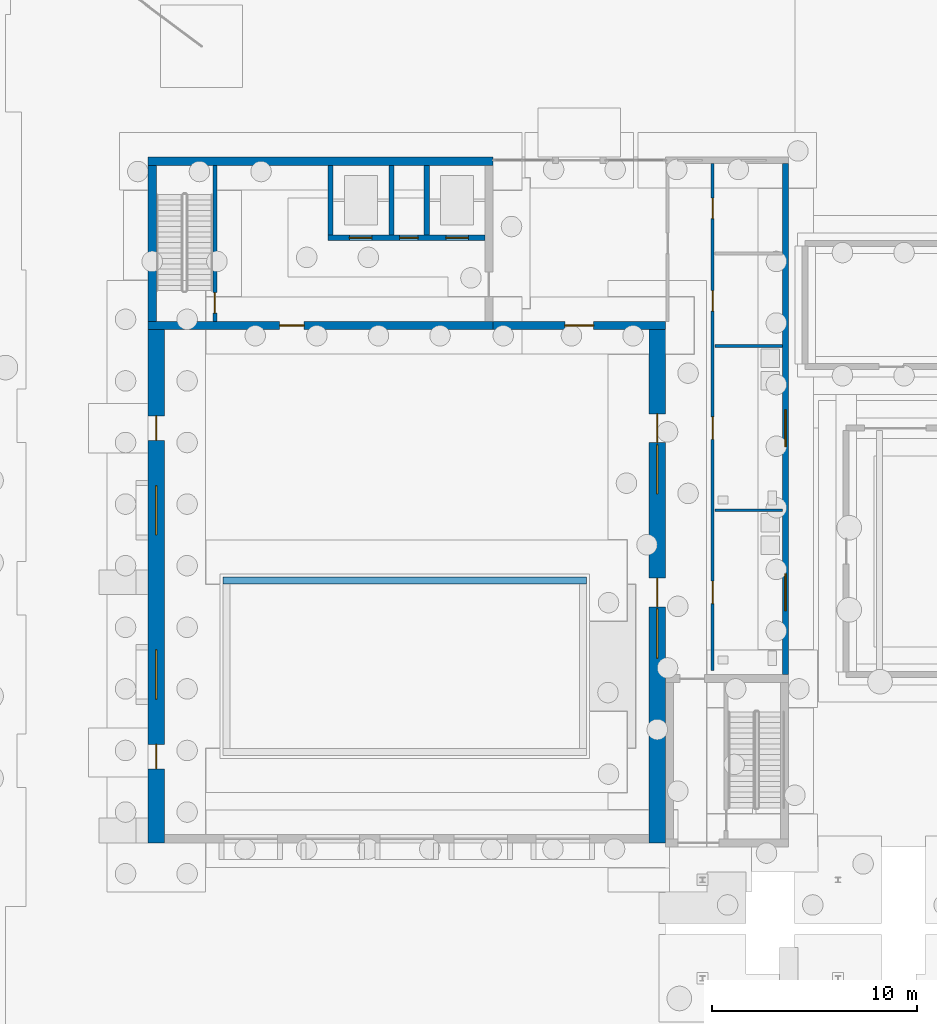
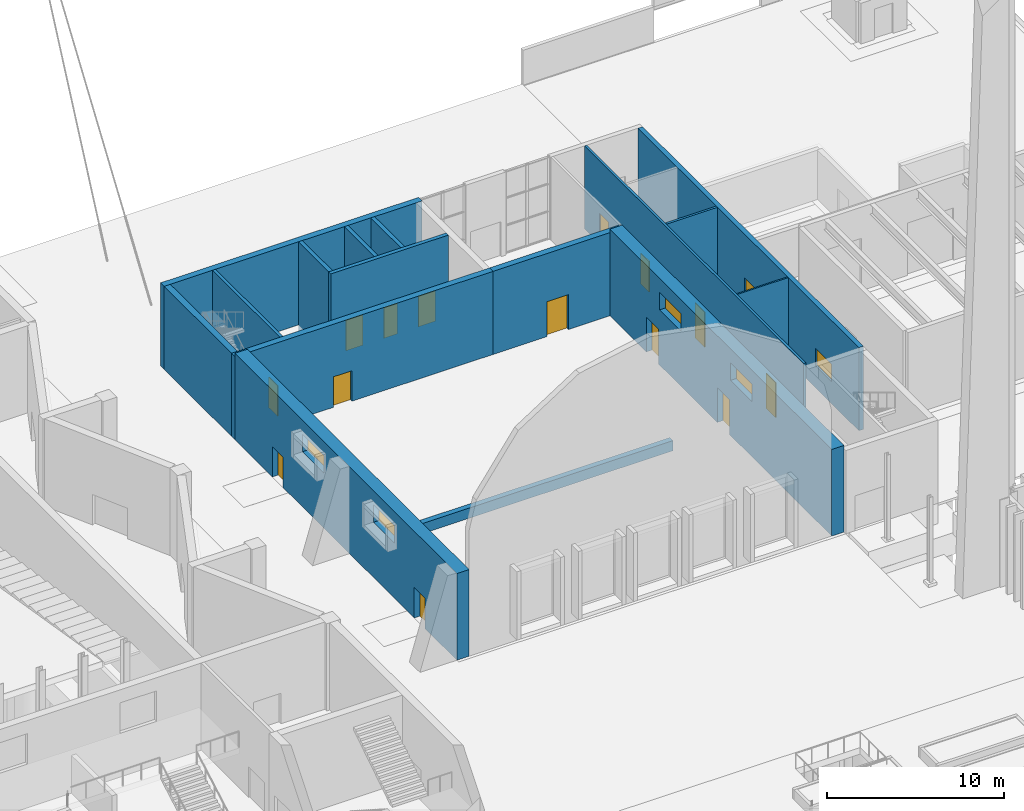
# One storey, part 74 of 108: 16 walls, 14 doors, 6 windows, 20 openings.
"""IFC4 building model written with IfcOpenShell, lengths in metres."""

from ifc_helpers import new_model, si_unit, direction, frame, frame_2d, origin, place, context, subcontext, project, spatial, rectangle, extrude, material, layer, layer_set, type_object, element, fill, save


model = new_model("IFC4")

# Units and contexts
model_context = context("Model", 3, precision=1e-05, world=origin(), true_north=direction((0.0, 1.0)))
body_context = subcontext(model_context, "Body", "Model", "MODEL_VIEW")
ifc_project = project(units=[si_unit("LENGTHUNIT", "METRE"), si_unit("AREAUNIT", "SQUARE_METRE"), si_unit("VOLUMEUNIT", "CUBIC_METRE"), si_unit("PLANEANGLEUNIT", "RADIAN"), si_unit("MASSUNIT", "GRAM", prefix="KILO")], contexts=[model_context])

# Site, building, storey
site_placement = place(None, origin())
site = spatial("IfcSite", under=ifc_project, at=site_placement, CompositionType="ELEMENT")
building_placement = place(site_placement, origin())
building = spatial("IfcBuilding", under=site, at=building_placement, Name="Cresset Court Congress Hotel", CompositionType="ELEMENT")
storey_placement = place(building_placement, origin())
storey = spatial("IfcBuildingStorey", under=building, at=storey_placement, Name="L00", CompositionType="ELEMENT", Elevation=0.0)

# Wall, openings, doors
ifc_material_1 = material(Name="Gypsum board on steel studs", Category="steel")
ifc_layer_1 = layer(ifc_material_1, 0.14990234375)
ifc_layer_set_1 = layer_set([ifc_layer_1], Name="Fire partition 150")
wall_type_1 = type_object("IfcWallType", Name="Fire partition 150", PredefinedType="PARTITIONING", material=ifc_layer_set_1)
wall_1_placement = place(storey_placement, frame((153.5, 84.199951171875, 0.0), z_axis=(0.0, 0.0, 1.0), x_axis=(0.0, 1.0, 0.0)))
wall_1 = element("IfcWall", 1, at=wall_1_placement, inside=storey, type_object=wall_type_1, Name="Corridor wall", PredefinedType="PARTITIONING", context=body_context, shape_type="SweptSolid", body=[
    extrude(rectangle(XDim=24.699951171875, YDim=0.14990234375, at=frame_2d((12.35009765625, 0.0))), origin(), (0.0, 0.0, 1.0), 5.719970703125),
])
opening_1_placement = place(wall_1_placement, frame((3.25, 0.0, 0.0)))
opening_1 = element("IfcOpeningElement", 2, at=opening_1_placement, cuts=wall_1, Name="Opening DE-00-14", PredefinedType="OPENING", context=body_context, shape_type="SweptSolid", body=[
    extrude(rectangle(XDim=1.10009765625, YDim=2.39990234375, at=frame_2d((0.550048828125, 1.199951171875))), frame((0.0, 0.0849609375, 0.0), z_axis=(0.0, -1.0, 0.0), x_axis=(1.0, 0.0, 0.0)), (0.0, 0.0, 1.0), 0.169921875),
])
opening_2_placement = place(wall_1_placement, frame((11.25, 0.0, 0.0)))
opening_2 = element("IfcOpeningElement", 3, at=opening_2_placement, cuts=wall_1, Name="Opening DE-00-15", PredefinedType="OPENING", context=body_context, shape_type="SweptSolid", body=[
    extrude(rectangle(XDim=1.10009765625, YDim=2.39990234375, at=frame_2d((0.550048828125, 1.199951171875))), frame((0.0, 0.0849609375, 0.0), z_axis=(0.0, -1.0, 0.0), x_axis=(1.0, 0.0, 0.0)), (0.0, 0.0, 1.0), 0.169921875),
])
opening_3_placement = place(wall_1_placement, frame((17.5, 0.0, 0.0)))
opening_3 = element("IfcOpeningElement", 4, at=opening_3_placement, cuts=wall_1, Name="Opening DE-00-16", PredefinedType="OPENING", context=body_context, shape_type="SweptSolid", body=[
    extrude(rectangle(XDim=1.0, YDim=2.10009765625, at=frame_2d((0.5, 1.050048828125))), frame((0.0, 0.0849609375, 0.0), z_axis=(0.0, -1.0, 0.0), x_axis=(1.0, 0.0, 0.0)), (0.0, 0.0, 1.0), 0.169921875),
])
opening_4_placement = place(wall_1_placement, frame((22.0, 0.0, 0.0)))
opening_4 = element("IfcOpeningElement", 5, at=opening_4_placement, cuts=wall_1, Name="Opening DE-00-17", PredefinedType="OPENING", context=body_context, shape_type="SweptSolid", body=[
    extrude(rectangle(XDim=1.0, YDim=2.10009765625, at=frame_2d((0.5, 1.050048828125))), frame((0.0, 0.0849609375, 0.0), z_axis=(0.0, -1.0, 0.0), x_axis=(1.0, 0.0, 0.0)), (0.0, 0.0, 1.0), 0.169921875),
])
ifc_material_2 = material(Name="Glass door leaf in aluminium frame", Category="aluminium")
door_type_1 = type_object("IfcDoorType", Name="Spa glazed door 1100x2400", OperationType="SINGLE_SWING_LEFT", PredefinedType="DOOR", material=ifc_material_2)
door_1_placement = place(opening_1_placement, origin())
door_1 = element("IfcDoor", 6, at=door_1_placement, inside=storey, type_object=door_type_1, Name="Spa glazed door DE-00-14", OperationType="SINGLE_SWING_LEFT", OverallHeight=2.39990234375, OverallWidth=1.10009765625, PredefinedType="DOOR", context=body_context, shape_type="SweptSolid", body=[
    extrude(rectangle(XDim=1.10009765625, YDim=2.39990234375, at=frame_2d((0.550048828125, 1.199951171875))), frame((0.0, 0.02490234375, 0.0), z_axis=(0.0, -1.0, 0.0), x_axis=(1.0, 0.0, 0.0)), (0.0, 0.0, 1.0), 0.050048828125),
])
fill(opening_1, door_1)
door_2_placement = place(opening_2_placement, origin())
door_2 = element("IfcDoor", 7, at=door_2_placement, inside=storey, type_object=door_type_1, Name="Spa glazed door DE-00-15", OperationType="SINGLE_SWING_LEFT", OverallHeight=2.39990234375, OverallWidth=1.10009765625, PredefinedType="DOOR", context=body_context, shape_type="SweptSolid", body=[
    extrude(rectangle(XDim=1.10009765625, YDim=2.39990234375, at=frame_2d((0.550048828125, 1.199951171875))), frame((0.0, 0.02490234375, 0.0), z_axis=(0.0, -1.0, 0.0), x_axis=(1.0, 0.0, 0.0)), (0.0, 0.0, 1.0), 0.050048828125),
])
fill(opening_2, door_2)
ifc_material_3 = material(Name="Timber door leaf", Category="wood")
door_type_2 = type_object("IfcDoorType", Name="Wet room door 1000x2100", OperationType="SINGLE_SWING_LEFT", PredefinedType="DOOR", material=ifc_material_3)
door_3_placement = place(opening_3_placement, origin())
door_3 = element("IfcDoor", 8, at=door_3_placement, inside=storey, type_object=door_type_2, Name="Wet room door DE-00-16", OperationType="SINGLE_SWING_LEFT", OverallHeight=2.10009765625, OverallWidth=1.0, PredefinedType="DOOR", context=body_context, shape_type="SweptSolid", body=[
    extrude(rectangle(XDim=1.0, YDim=2.10009765625, at=frame_2d((0.5, 1.050048828125))), frame((0.0, 0.02490234375, 0.0), z_axis=(0.0, -1.0, 0.0), x_axis=(1.0, 0.0, 0.0)), (0.0, 0.0, 1.0), 0.050048828125),
])
fill(opening_3, door_3)
door_4_placement = place(opening_4_placement, origin())
door_4 = element("IfcDoor", 9, at=door_4_placement, inside=storey, type_object=door_type_2, Name="Wet room door DE-00-17", OperationType="SINGLE_SWING_LEFT", OverallHeight=2.10009765625, OverallWidth=1.0, PredefinedType="DOOR", context=body_context, shape_type="SweptSolid", body=[
    extrude(rectangle(XDim=1.0, YDim=2.10009765625, at=frame_2d((0.5, 1.050048828125))), frame((0.0, 0.02490234375, 0.0), z_axis=(0.0, -1.0, 0.0), x_axis=(1.0, 0.0, 0.0)), (0.0, 0.0, 1.0), 0.050048828125),
])
fill(opening_4, door_4)

# Wall
ifc_material_4 = material(Name="Gypsum board on steel studs", Category="steel")
ifc_layer_2 = layer(ifc_material_4, 0.10009765625)
ifc_layer_set_2 = layer_set([ifc_layer_2], Name="Partition 100")
wall_type_2 = type_object("IfcWallType", Name="Partition 100", PredefinedType="PARTITIONING", material=ifc_layer_set_2)
wall_2_placement = place(storey_placement, frame((153.60009765625, 92.0, 0.0), z_axis=(0.0, 0.0, 1.0), x_axis=(1.0, 0.0, 0.0)))
element("IfcWall", 10, at=wall_2_placement, inside=storey, type_object=wall_type_2, Name="Partition 92", PredefinedType="PARTITIONING", context=body_context, shape_type="SweptSolid", body=[
    extrude(rectangle(XDim=3.2998046875, YDim=0.10009765625, at=frame_2d((1.64990234375, 0.0))), origin(), (0.0, 0.0, 1.0), 5.719970703125),
])

# Wall, opening, door
ifc_material_5 = material(Name="Concrete C50", Category="concrete")
ifc_layer_3 = layer(ifc_material_5, 0.39990234375)
ifc_layer_set_3 = layer_set([ifc_layer_3], Name="RC core wall 400 C50")
wall_type_3 = type_object("IfcWallType", Name="RC core wall 400 C50", PredefinedType="SOLIDWALL", material=ifc_layer_set_3)
wall_3_placement = place(storey_placement, frame((126.0, 101.0, 0.0), z_axis=(0.0, 0.0, 1.0), x_axis=(1.0, 0.0, 0.0)))
wall_3 = element("IfcWall", 11, at=wall_3_placement, inside=storey, type_object=wall_type_3, Name="Core south wall", PredefinedType="SOLIDWALL", context=body_context, shape_type="SweptSolid", body=[
    extrude(rectangle(XDim=16.800048828125, YDim=0.39990234375, at=frame_2d((8.39990234375, 0.0))), origin(), (0.0, 0.0, 1.0), 5.719970703125),
])
opening_5_placement = place(wall_3_placement, frame((6.39990234375, 0.0, 0.0)))
opening_5 = element("IfcOpeningElement", 12, at=opening_5_placement, cuts=wall_3, Name="Opening DE-00-12", PredefinedType="OPENING", context=body_context, shape_type="SweptSolid", body=[
    extrude(rectangle(XDim=1.199951171875, YDim=2.10009765625, at=frame_2d((0.60009765625, 1.050048828125))), frame((0.0, 0.2099609375, 0.0), z_axis=(0.0, -1.0, 0.0), x_axis=(1.0, 0.0, 0.0)), (0.0, 0.0, 1.0), 0.419921875),
])
ifc_material_6 = material(Name="Timber door leaf", Category="wood")
door_type_3 = type_object("IfcDoorType", Name="Stair lobby door 1200x2100", OperationType="SINGLE_SWING_LEFT", PredefinedType="DOOR", material=ifc_material_6)
door_5_placement = place(opening_5_placement, origin())
door_5 = element("IfcDoor", 13, at=door_5_placement, inside=storey, type_object=door_type_3, Name="Stair lobby door DE-00-12", OperationType="SINGLE_SWING_LEFT", OverallHeight=2.10009765625, OverallWidth=1.199951171875, PredefinedType="DOOR", context=body_context, shape_type="SweptSolid", body=[
    extrude(rectangle(XDim=1.199951171875, YDim=2.10009765625, at=frame_2d((0.60009765625, 1.050048828125))), frame((0.0, 0.02490234375, 0.0), z_axis=(0.0, -1.0, 0.0), x_axis=(1.0, 0.0, 0.0)), (0.0, 0.0, 1.0), 0.050048828125),
])
fill(opening_5, door_5)

# Walls
ifc_material_7 = material(Name="Concrete C50", Category="concrete")
ifc_layer_4 = layer(ifc_material_7, 0.39990234375)
ifc_layer_set_4 = layer_set([ifc_layer_4], Name="RC core wall 400 C50 external")
wall_type_4 = type_object("IfcWallType", Name="RC core wall 400 C50 external", PredefinedType="SOLIDWALL", material=ifc_layer_set_4)
wall_4_placement = place(storey_placement, frame((126.0, 109.0, 0.0), z_axis=(0.0, 0.0, 1.0), x_axis=(1.0, 0.0, 0.0)))
element("IfcWall", 14, at=wall_4_placement, inside=storey, type_object=wall_type_4, Name="Core north wall", PredefinedType="SOLIDWALL", context=body_context, shape_type="SweptSolid", body=[
    extrude(rectangle(XDim=16.800048828125, YDim=0.39990234375, at=frame_2d((8.39990234375, 0.0))), origin(), (0.0, 0.0, 1.0), 5.719970703125),
])
wall_5_placement = place(storey_placement, frame((126.199951171875, 101.199951171875, 0.0), z_axis=(0.0, 0.0, 1.0), x_axis=(0.0, 1.0, 0.0)))
element("IfcWall", 15, at=wall_5_placement, inside=storey, type_object=wall_type_4, Name="Core west wall", PredefinedType="SOLIDWALL", context=body_context, shape_type="SweptSolid", body=[
    extrude(rectangle(XDim=7.60009765625, YDim=0.39990234375, at=frame_2d((3.800048828125, 0.0))), origin(), (0.0, 0.0, 1.0), 5.719970703125),
])

# Wall, openings, windows
ifc_material_8 = material(Name="Concrete C40", Category="concrete")
ifc_layer_5 = layer(ifc_material_8, 0.300048828125)
ifc_layer_set_5 = layer_set([ifc_layer_5], Name="RC external wall 300 C40")
wall_type_5 = type_object("IfcWallType", Name="RC external wall 300 C40", PredefinedType="SOLIDWALL", material=ifc_layer_set_5)
wall_6_placement = place(storey_placement, frame((157.050048828125, 84.0, 0.0), z_axis=(0.0, 0.0, 1.0), x_axis=(0.0, 1.0, 0.0)))
wall_6 = element("IfcWall", 16, at=wall_6_placement, inside=storey, type_object=wall_type_5, Name="East external wall L00", PredefinedType="SOLIDWALL", context=body_context, shape_type="SweptSolid", body=[
    extrude(rectangle(XDim=24.89990234375, YDim=0.300048828125, at=frame_2d((12.449951171875, 0.0))), origin(), (0.0, 0.0, 1.0), 5.719970703125),
])
opening_6_placement = place(wall_6_placement, frame((3.10009765625, 0.0, 1.5)))
opening_6 = element("IfcOpeningElement", 17, at=opening_6_placement, cuts=wall_6, Name="Opening NE-00-10", PredefinedType="OPENING", context=body_context, shape_type="SweptSolid", body=[
    extrude(rectangle(XDim=1.800048828125, YDim=1.199951171875, at=frame_2d((0.89990234375, 0.60009765625))), frame((0.0, 0.159912109375, 0.0), z_axis=(0.0, -1.0, 0.0), x_axis=(1.0, 0.0, 0.0)), (0.0, 0.0, 1.0), 0.320068359375),
])
opening_7_placement = place(wall_6_placement, frame((11.10009765625, 0.0, 1.5)))
opening_7 = element("IfcOpeningElement", 18, at=opening_7_placement, cuts=wall_6, Name="Opening NE-00-11", PredefinedType="OPENING", context=body_context, shape_type="SweptSolid", body=[
    extrude(rectangle(XDim=1.800048828125, YDim=1.199951171875, at=frame_2d((0.89990234375, 0.60009765625))), frame((0.0, 0.159912109375, 0.0), z_axis=(0.0, -1.0, 0.0), x_axis=(1.0, 0.0, 0.0)), (0.0, 0.0, 1.0), 0.320068359375),
])
ifc_material_9 = material(Name="Aluminium frame with insulated glass", Category="aluminium")
window_type_1 = type_object("IfcWindowType", Name="Window 1800x1200", PartitioningType="SINGLE_PANEL", PredefinedType="WINDOW", material=ifc_material_9)
window_1_placement = place(opening_6_placement, origin())
window_1 = element("IfcWindow", 19, at=window_1_placement, inside=storey, type_object=window_type_1, Name="Window NE-00-10", OverallHeight=1.199951171875, OverallWidth=1.800048828125, PartitioningType="SINGLE_PANEL", PredefinedType="WINDOW", context=body_context, shape_type="SweptSolid", body=[
    extrude(rectangle(XDim=1.800048828125, YDim=1.199951171875, at=frame_2d((0.89990234375, 0.60009765625))), frame((0.0, 0.030029296875, 0.0), z_axis=(0.0, -1.0, 0.0), x_axis=(1.0, 0.0, 0.0)), (0.0, 0.0, 1.0), 0.06005859375),
])
fill(opening_6, window_1)
window_2_placement = place(opening_7_placement, origin())
window_2 = element("IfcWindow", 20, at=window_2_placement, inside=storey, type_object=window_type_1, Name="Window NE-00-11", OverallHeight=1.199951171875, OverallWidth=1.800048828125, PartitioningType="SINGLE_PANEL", PredefinedType="WINDOW", context=body_context, shape_type="SweptSolid", body=[
    extrude(rectangle(XDim=1.800048828125, YDim=1.199951171875, at=frame_2d((0.89990234375, 0.60009765625))), frame((0.0, 0.030029296875, 0.0), z_axis=(0.0, -1.0, 0.0), x_axis=(1.0, 0.0, 0.0)), (0.0, 0.0, 1.0), 0.06005859375),
])
fill(opening_7, window_2)

# Wall, opening, door
ifc_material_10 = material(Name="Concrete C40", Category="concrete")
ifc_layer_6 = layer(ifc_material_10, 0.39990234375)
ifc_layer_set_6 = layer_set([ifc_layer_6], Name="RC gable wall 400 C40")
wall_type_6 = type_object("IfcWallType", Name="RC gable wall 400 C40", PredefinedType="SOLIDWALL", material=ifc_layer_set_6)
wall_7_placement = place(storey_placement, frame((142.800048828125, 101.0, 0.0), z_axis=(0.0, 0.0, 1.0), x_axis=(1.0, 0.0, 0.0)))
wall_7 = element("IfcWall", 21, at=wall_7_placement, inside=storey, type_object=wall_type_6, Name="Lounge south wall L00", PredefinedType="SOLIDWALL", context=body_context, shape_type="SweptSolid", body=[
    extrude(rectangle(XDim=8.39990234375, YDim=0.39990234375, at=frame_2d((4.199951171875, 0.0))), origin(), (0.0, 0.0, 1.0), 5.719970703125),
])
opening_8_placement = place(wall_7_placement, frame((3.5, 0.0, 0.0)))
opening_8 = element("IfcOpeningElement", 22, at=opening_8_placement, cuts=wall_7, Name="Opening DE-00-18", PredefinedType="OPENING", context=body_context, shape_type="SweptSolid", body=[
    extrude(rectangle(XDim=1.39990234375, YDim=2.39990234375, at=frame_2d((0.699951171875, 1.199951171875))), frame((0.0, 0.2099609375, 0.0), z_axis=(0.0, -1.0, 0.0), x_axis=(1.0, 0.0, 0.0)), (0.0, 0.0, 1.0), 0.419921875),
])
ifc_material_11 = material(Name="Timber door leaf", Category="wood")
door_type_4 = type_object("IfcDoorType", Name="Pool hall door 1400x2400", OperationType="DOUBLE_DOOR_SINGLE_SWING", PredefinedType="DOOR", material=ifc_material_11)
door_6_placement = place(opening_8_placement, origin())
door_6 = element("IfcDoor", 23, at=door_6_placement, inside=storey, type_object=door_type_4, Name="Pool hall door DE-00-18", OperationType="DOUBLE_DOOR_SINGLE_SWING", OverallHeight=2.39990234375, OverallWidth=1.39990234375, PredefinedType="DOOR", context=body_context, shape_type="SweptSolid", body=[
    extrude(rectangle(XDim=1.39990234375, YDim=2.39990234375, at=frame_2d((0.699951171875, 1.199951171875))), frame((0.0, 0.02490234375, 0.0), z_axis=(0.0, -1.0, 0.0), x_axis=(1.0, 0.0, 0.0)), (0.0, 0.0, 1.0), 0.050048828125),
])
fill(opening_8, door_6)

# Wall, openings, doors
ifc_material_12 = material(Name="Concrete C50", Category="concrete")
ifc_layer_7 = layer(ifc_material_12, 0.25)
ifc_layer_set_7 = layer_set([ifc_layer_7], Name="RC lift shaft wall 250 C50")
wall_type_7 = type_object("IfcWallType", Name="RC lift shaft wall 250 C50", PredefinedType="SOLIDWALL", material=ifc_layer_set_7)
wall_8_placement = place(storey_placement, frame((134.75, 105.27490234375, -1.39990234375), z_axis=(0.0, 0.0, 1.0), x_axis=(1.0, 0.0, 0.0)))
wall_8 = element("IfcWall", 24, at=wall_8_placement, inside=storey, type_object=wall_type_7, Name="Lift shaft front wall", PredefinedType="SOLIDWALL", context=body_context, shape_type="SweptSolid", body=[
    extrude(rectangle(XDim=7.64990234375, YDim=0.25, at=frame_2d((3.824951171875, 0.0))), origin(), (0.0, 0.0, 1.0), 7.119873046875),
])
opening_9_placement = place(wall_8_placement, frame((1.050048828125, 0.0, 1.39990234375)))
opening_9 = element("IfcOpeningElement", 25, at=opening_9_placement, cuts=wall_8, Name="Opening DE-00-05", PredefinedType="OPENING", context=body_context, shape_type="SweptSolid", body=[
    extrude(rectangle(XDim=1.10009765625, YDim=2.10009765625, at=frame_2d((0.550048828125, 1.050048828125))), frame((0.0, 0.135009765625, 0.0), z_axis=(0.0, -1.0, 0.0), x_axis=(1.0, 0.0, 0.0)), (0.0, 0.0, 1.0), 0.27001953125),
])
opening_10_placement = place(wall_8_placement, frame((5.75, 0.0, 1.39990234375)))
opening_10 = element("IfcOpeningElement", 26, at=opening_10_placement, cuts=wall_8, Name="Opening DE-00-06", PredefinedType="OPENING", context=body_context, shape_type="SweptSolid", body=[
    extrude(rectangle(XDim=1.10009765625, YDim=2.10009765625, at=frame_2d((0.550048828125, 1.050048828125))), frame((0.0, 0.135009765625, 0.0), z_axis=(0.0, -1.0, 0.0), x_axis=(1.0, 0.0, 0.0)), (0.0, 0.0, 1.0), 0.27001953125),
])
opening_11_placement = place(wall_8_placement, frame((3.5, 0.0, 1.39990234375)))
opening_11 = element("IfcOpeningElement", 27, at=opening_11_placement, cuts=wall_8, Name="Opening DE-00-07", PredefinedType="OPENING", context=body_context, shape_type="SweptSolid", body=[
    extrude(rectangle(XDim=0.89990234375, YDim=2.10009765625, at=frame_2d((0.449951171875, 1.050048828125))), frame((0.0, 0.135009765625, 0.0), z_axis=(0.0, -1.0, 0.0), x_axis=(1.0, 0.0, 0.0)), (0.0, 0.0, 1.0), 0.27001953125),
])
ifc_material_13 = material(Name="Stainless steel", Category="steel")
door_type_5 = type_object("IfcDoorType", Name="Lift landing door 1100x2100", OperationType="DOUBLE_DOOR_SLIDING", PredefinedType="DOOR", material=ifc_material_13)
door_7_placement = place(opening_9_placement, origin())
door_7 = element("IfcDoor", 28, at=door_7_placement, inside=storey, type_object=door_type_5, Name="Lift landing door DE-00-05", OperationType="DOUBLE_DOOR_SLIDING", OverallHeight=2.10009765625, OverallWidth=1.10009765625, PredefinedType="DOOR", context=body_context, shape_type="SweptSolid", body=[
    extrude(rectangle(XDim=1.10009765625, YDim=2.10009765625, at=frame_2d((0.550048828125, 1.050048828125))), frame((0.0, 0.02490234375, 0.0), z_axis=(0.0, -1.0, 0.0), x_axis=(1.0, 0.0, 0.0)), (0.0, 0.0, 1.0), 0.050048828125),
])
fill(opening_9, door_7)
door_8_placement = place(opening_10_placement, origin())
door_8 = element("IfcDoor", 29, at=door_8_placement, inside=storey, type_object=door_type_5, Name="Lift landing door DE-00-06", OperationType="DOUBLE_DOOR_SLIDING", OverallHeight=2.10009765625, OverallWidth=1.10009765625, PredefinedType="DOOR", context=body_context, shape_type="SweptSolid", body=[
    extrude(rectangle(XDim=1.10009765625, YDim=2.10009765625, at=frame_2d((0.550048828125, 1.050048828125))), frame((0.0, 0.02490234375, 0.0), z_axis=(0.0, -1.0, 0.0), x_axis=(1.0, 0.0, 0.0)), (0.0, 0.0, 1.0), 0.050048828125),
])
fill(opening_10, door_8)
ifc_material_14 = material(Name="Timber door leaf", Category="wood")
door_type_6 = type_object("IfcDoorType", Name="Riser door 900x2100", OperationType="SINGLE_SWING_LEFT", PredefinedType="DOOR", material=ifc_material_14)
door_9_placement = place(opening_11_placement, origin())
door_9 = element("IfcDoor", 30, at=door_9_placement, inside=storey, type_object=door_type_6, Name="Riser door DE-00-07", OperationType="SINGLE_SWING_LEFT", OverallHeight=2.10009765625, OverallWidth=0.89990234375, PredefinedType="DOOR", context=body_context, shape_type="SweptSolid", body=[
    extrude(rectangle(XDim=0.89990234375, YDim=2.10009765625, at=frame_2d((0.449951171875, 1.050048828125))), frame((0.0, 0.02490234375, 0.0), z_axis=(0.0, -1.0, 0.0), x_axis=(1.0, 0.0, 0.0)), (0.0, 0.0, 1.0), 0.050048828125),
])
fill(opening_11, door_9)

# Walls
for number, where, z_axis, x_axis, name in (
    (31, (134.875, 105.39990234375, -1.39990234375), (0.0, 0.0, 1.0), (0.0, 1.0, 0.0), "Lift shaft west wall"),
    (32, (137.85009765625, 105.39990234375, -1.39990234375), (0.0, 0.0, 1.0), (0.0, 1.0, 0.0), "Lift shaft wall A"),
    (33, (139.574951171875, 105.39990234375, -1.39990234375), (0.0, 0.0, 1.0), (0.0, 1.0, 0.0), "Lift shaft wall B"),
):
    element("IfcWall", number, at=place(storey_placement, frame(where, z_axis=z_axis, x_axis=x_axis)), inside=storey, type_object=wall_type_7, Name=name, PredefinedType="SOLIDWALL", context=body_context, shape_type="SweptSolid", body=[
        extrude(rectangle(XDim=3.400146484375, YDim=0.25, at=frame_2d((1.7001953125, 0.0))), origin(), (0.0, 0.0, 1.0), 7.119873046875),
    ])

# Wall, openings, doors, windows
ifc_material_15 = material(Name="Concrete C40", Category="concrete")
ifc_layer_8 = layer(ifc_material_15, 0.800048828125)
ifc_layer_set_8 = layer_set([ifc_layer_8], Name="RC pool hall wall 800 C40")
wall_type_8 = type_object("IfcWallType", Name="RC pool hall wall 800 C40", PredefinedType="SOLIDWALL", material=ifc_layer_set_8)
wall_9_placement = place(storey_placement, frame((126.39990234375, 75.800048828125, 0.0), z_axis=(0.0, 0.0, 1.0), x_axis=(0.0, 1.0, 0.0)))
wall_9 = element("IfcWall", 34, at=wall_9_placement, inside=storey, type_object=wall_type_8, Name="Pool hall west wall", PredefinedType="SOLIDWALL", context=body_context, shape_type="SweptSolid", body=[
    extrude(rectangle(XDim=25.0, YDim=0.800048828125, at=frame_2d((12.5, 0.0))), origin(), (0.0, 0.0, 1.0), 5.962890625),
])
opening_12_placement = place(wall_9_placement, frame((3.60009765625, 0.0, 0.0)))
opening_12 = element("IfcOpeningElement", 35, at=opening_12_placement, cuts=wall_9, Name="Opening DE-00-01", PredefinedType="OPENING", context=body_context, shape_type="SweptSolid", body=[
    extrude(rectangle(XDim=1.199951171875, YDim=2.10009765625, at=frame_2d((0.60009765625, 1.050048828125))), frame((0.0, 0.409912109375, 0.0), z_axis=(0.0, -1.0, 0.0), x_axis=(1.0, 0.0, 0.0)), (0.0, 0.0, 1.0), 0.820068359375),
])
opening_13_placement = place(wall_9_placement, frame((19.60009765625, 0.0, 0.0)))
opening_13 = element("IfcOpeningElement", 36, at=opening_13_placement, cuts=wall_9, Name="Opening DE-00-02", PredefinedType="OPENING", context=body_context, shape_type="SweptSolid", body=[
    extrude(rectangle(XDim=1.199951171875, YDim=2.10009765625, at=frame_2d((0.60009765625, 1.050048828125))), frame((0.0, 0.409912109375, 0.0), z_axis=(0.0, -1.0, 0.0), x_axis=(1.0, 0.0, 0.0)), (0.0, 0.0, 1.0), 0.820068359375),
])
opening_14_placement = place(wall_9_placement, frame((7.0, 0.0, 3.800048828125)))
opening_14 = element("IfcOpeningElement", 37, at=opening_14_placement, cuts=wall_9, Name="Opening NE-00-06", PredefinedType="OPENING", context=body_context, shape_type="SweptSolid", body=[
    extrude(rectangle(XDim=2.39990234375, YDim=1.199951171875, at=frame_2d((1.199951171875, 0.60009765625))), frame((0.0, 0.409912109375, 0.0), z_axis=(0.0, -1.0, 0.0), x_axis=(1.0, 0.0, 0.0)), (0.0, 0.0, 1.0), 0.820068359375),
])
opening_15_placement = place(wall_9_placement, frame((15.0, 0.0, 3.800048828125)))
opening_15 = element("IfcOpeningElement", 38, at=opening_15_placement, cuts=wall_9, Name="Opening NE-00-08", PredefinedType="OPENING", context=body_context, shape_type="SweptSolid", body=[
    extrude(rectangle(XDim=2.39990234375, YDim=1.199951171875, at=frame_2d((1.199951171875, 0.60009765625))), frame((0.0, 0.409912109375, 0.0), z_axis=(0.0, -1.0, 0.0), x_axis=(1.0, 0.0, 0.0)), (0.0, 0.0, 1.0), 0.820068359375),
])
ifc_material_16 = material(Name="Timber door leaf", Category="wood")
door_type_7 = type_object("IfcDoorType", Name="Exit door 1200x2100", OperationType="SINGLE_SWING_LEFT", PredefinedType="DOOR", material=ifc_material_16)
door_10_placement = place(opening_12_placement, origin())
door_10 = element("IfcDoor", 39, at=door_10_placement, inside=storey, type_object=door_type_7, Name="Exit door DE-00-01", OperationType="SINGLE_SWING_LEFT", OverallHeight=2.10009765625, OverallWidth=1.199951171875, PredefinedType="DOOR", context=body_context, shape_type="SweptSolid", body=[
    extrude(rectangle(XDim=1.199951171875, YDim=2.10009765625, at=frame_2d((0.60009765625, 1.050048828125))), frame((0.0, 0.02490234375, 0.0), z_axis=(0.0, -1.0, 0.0), x_axis=(1.0, 0.0, 0.0)), (0.0, 0.0, 1.0), 0.050048828125),
])
fill(opening_12, door_10)
door_11_placement = place(opening_13_placement, origin())
door_11 = element("IfcDoor", 40, at=door_11_placement, inside=storey, type_object=door_type_7, Name="Exit door DE-00-02", OperationType="SINGLE_SWING_LEFT", OverallHeight=2.10009765625, OverallWidth=1.199951171875, PredefinedType="DOOR", context=body_context, shape_type="SweptSolid", body=[
    extrude(rectangle(XDim=1.199951171875, YDim=2.10009765625, at=frame_2d((0.60009765625, 1.050048828125))), frame((0.0, 0.02490234375, 0.0), z_axis=(0.0, -1.0, 0.0), x_axis=(1.0, 0.0, 0.0)), (0.0, 0.0, 1.0), 0.050048828125),
])
fill(opening_13, door_11)
ifc_material_17 = material(Name="Aluminium frame with insulated glass", Category="aluminium")
window_type_2 = type_object("IfcWindowType", Name="Window 2400x1200", PartitioningType="SINGLE_PANEL", PredefinedType="WINDOW", material=ifc_material_17)
window_3_placement = place(opening_14_placement, origin())
window_3 = element("IfcWindow", 41, at=window_3_placement, inside=storey, type_object=window_type_2, Name="Window NE-00-06", OverallHeight=1.199951171875, OverallWidth=2.39990234375, PartitioningType="SINGLE_PANEL", PredefinedType="WINDOW", context=body_context, shape_type="SweptSolid", body=[
    extrude(rectangle(XDim=2.39990234375, YDim=1.199951171875, at=frame_2d((1.199951171875, 0.60009765625))), frame((0.0, 0.030029296875, 0.0), z_axis=(0.0, -1.0, 0.0), x_axis=(1.0, 0.0, 0.0)), (0.0, 0.0, 1.0), 0.06005859375),
])
fill(opening_14, window_3)
window_4_placement = place(opening_15_placement, origin())
window_4 = element("IfcWindow", 42, at=window_4_placement, inside=storey, type_object=window_type_2, Name="Window NE-00-08", OverallHeight=1.199951171875, OverallWidth=2.39990234375, PartitioningType="SINGLE_PANEL", PredefinedType="WINDOW", context=body_context, shape_type="SweptSolid", body=[
    extrude(rectangle(XDim=2.39990234375, YDim=1.199951171875, at=frame_2d((1.199951171875, 0.60009765625))), frame((0.0, 0.030029296875, 0.0), z_axis=(0.0, -1.0, 0.0), x_axis=(1.0, 0.0, 0.0)), (0.0, 0.0, 1.0), 0.06005859375),
])
fill(opening_15, window_4)

wall_10_placement = place(storey_placement, frame((150.800048828125, 75.800048828125, 0.0), z_axis=(0.0, 0.0, 1.0), x_axis=(0.0, 1.0, 0.0)))
wall_10 = element("IfcWall", 43, at=wall_10_placement, inside=storey, type_object=wall_type_8, Name="Pool hall east wall", PredefinedType="SOLIDWALL", context=body_context, shape_type="SweptSolid", body=[
    extrude(rectangle(XDim=25.0, YDim=0.800048828125, at=frame_2d((12.5, 0.0))), origin(), (0.0, 0.0, 1.0), 5.962890625),
])
opening_16_placement = place(wall_10_placement, frame((9.0, 0.0, 3.800048828125)))
opening_16 = element("IfcOpeningElement", 44, at=opening_16_placement, cuts=wall_10, Name="Opening NE-00-07", PredefinedType="OPENING", context=body_context, shape_type="SweptSolid", body=[
    extrude(rectangle(XDim=2.39990234375, YDim=1.199951171875, at=frame_2d((1.199951171875, 0.60009765625))), frame((0.0, 0.409912109375, 0.0), z_axis=(0.0, -1.0, 0.0), x_axis=(1.0, 0.0, 0.0)), (0.0, 0.0, 1.0), 0.820068359375),
])
opening_17_placement = place(wall_10_placement, frame((17.0, 0.0, 3.800048828125)))
opening_17 = element("IfcOpeningElement", 45, at=opening_17_placement, cuts=wall_10, Name="Opening NE-00-09", PredefinedType="OPENING", context=body_context, shape_type="SweptSolid", body=[
    extrude(rectangle(XDim=2.39990234375, YDim=1.199951171875, at=frame_2d((1.199951171875, 0.60009765625))), frame((0.0, 0.409912109375, 0.0), z_axis=(0.0, -1.0, 0.0), x_axis=(1.0, 0.0, 0.0)), (0.0, 0.0, 1.0), 0.820068359375),
])
opening_18_placement = place(wall_10_placement, frame((11.5, 0.0, 0.0)))
opening_18 = element("IfcOpeningElement", 46, at=opening_18_placement, cuts=wall_10, Name="Opening DE-00-19", PredefinedType="OPENING", context=body_context, shape_type="SweptSolid", body=[
    extrude(rectangle(XDim=1.39990234375, YDim=2.39990234375, at=frame_2d((0.699951171875, 1.199951171875))), frame((0.0, 0.409912109375, 0.0), z_axis=(0.0, -1.0, 0.0), x_axis=(1.0, 0.0, 0.0)), (0.0, 0.0, 1.0), 0.820068359375),
])
opening_19_placement = place(wall_10_placement, frame((19.5, 0.0, 0.0)))
opening_19 = element("IfcOpeningElement", 47, at=opening_19_placement, cuts=wall_10, Name="Opening DE-00-20", PredefinedType="OPENING", context=body_context, shape_type="SweptSolid", body=[
    extrude(rectangle(XDim=1.39990234375, YDim=2.39990234375, at=frame_2d((0.699951171875, 1.199951171875))), frame((0.0, 0.409912109375, 0.0), z_axis=(0.0, -1.0, 0.0), x_axis=(1.0, 0.0, 0.0)), (0.0, 0.0, 1.0), 0.820068359375),
])
door_12_placement = place(opening_18_placement, origin())
door_12 = element("IfcDoor", 48, at=door_12_placement, inside=storey, type_object=door_type_4, Name="Pool hall door DE-00-19", OperationType="DOUBLE_DOOR_SINGLE_SWING", OverallHeight=2.39990234375, OverallWidth=1.39990234375, PredefinedType="DOOR", context=body_context, shape_type="SweptSolid", body=[
    extrude(rectangle(XDim=1.39990234375, YDim=2.39990234375, at=frame_2d((0.699951171875, 1.199951171875))), frame((0.0, 0.02490234375, 0.0), z_axis=(0.0, -1.0, 0.0), x_axis=(1.0, 0.0, 0.0)), (0.0, 0.0, 1.0), 0.050048828125),
])
fill(opening_18, door_12)
door_13_placement = place(opening_19_placement, origin())
door_13 = element("IfcDoor", 49, at=door_13_placement, inside=storey, type_object=door_type_4, Name="Pool hall door DE-00-20", OperationType="DOUBLE_DOOR_SINGLE_SWING", OverallHeight=2.39990234375, OverallWidth=1.39990234375, PredefinedType="DOOR", context=body_context, shape_type="SweptSolid", body=[
    extrude(rectangle(XDim=1.39990234375, YDim=2.39990234375, at=frame_2d((0.699951171875, 1.199951171875))), frame((0.0, 0.02490234375, 0.0), z_axis=(0.0, -1.0, 0.0), x_axis=(1.0, 0.0, 0.0)), (0.0, 0.0, 1.0), 0.050048828125),
])
fill(opening_19, door_13)
window_5_placement = place(opening_16_placement, origin())
window_5 = element("IfcWindow", 50, at=window_5_placement, inside=storey, type_object=window_type_2, Name="Window NE-00-07", OverallHeight=1.199951171875, OverallWidth=2.39990234375, PartitioningType="SINGLE_PANEL", PredefinedType="WINDOW", context=body_context, shape_type="SweptSolid", body=[
    extrude(rectangle(XDim=2.39990234375, YDim=1.199951171875, at=frame_2d((1.199951171875, 0.60009765625))), frame((0.0, 0.030029296875, 0.0), z_axis=(0.0, -1.0, 0.0), x_axis=(1.0, 0.0, 0.0)), (0.0, 0.0, 1.0), 0.06005859375),
])
fill(opening_16, window_5)
window_6_placement = place(opening_17_placement, origin())
window_6 = element("IfcWindow", 51, at=window_6_placement, inside=storey, type_object=window_type_2, Name="Window NE-00-09", OverallHeight=1.199951171875, OverallWidth=2.39990234375, PartitioningType="SINGLE_PANEL", PredefinedType="WINDOW", context=body_context, shape_type="SweptSolid", body=[
    extrude(rectangle(XDim=2.39990234375, YDim=1.199951171875, at=frame_2d((1.199951171875, 0.60009765625))), frame((0.0, 0.030029296875, 0.0), z_axis=(0.0, -1.0, 0.0), x_axis=(1.0, 0.0, 0.0)), (0.0, 0.0, 1.0), 0.06005859375),
])
fill(opening_17, window_6)

# Wall
ifc_material_18 = material(Name="Concrete C35", Category="concrete")
ifc_layer_9 = layer(ifc_material_18, 0.35009765625)
ifc_layer_set_9 = layer_set([ifc_layer_9], Name="RC pool tank wall 350 C35")
wall_type_9 = type_object("IfcWallType", Name="RC pool tank wall 350 C35", PredefinedType="SOLIDWALL", material=ifc_layer_set_9)
wall_11_placement = place(storey_placement, frame((129.64990234375, 88.574951171875, -0.699951171875), z_axis=(0.0, 0.0, 1.0), x_axis=(1.0, 0.0, 0.0)))
element("IfcWall", 52, at=wall_11_placement, inside=storey, type_object=wall_type_9, Name="Pool wall north", PredefinedType="SOLIDWALL", context=body_context, shape_type="SweptSolid", body=[
    extrude(rectangle(XDim=17.7001953125, YDim=0.35009765625, at=frame_2d((8.85009765625, 0.0))), origin(), (0.0, 0.0, 1.0), 0.699951171875),
])

# Wall, opening, door
ifc_material_19 = material(Name="Concrete C40", Category="concrete")
ifc_layer_10 = layer(ifc_material_19, 0.199951171875)
ifc_layer_set_10 = layer_set([ifc_layer_10], Name="RC stair enclosure wall 200 C40")
wall_type_10 = type_object("IfcWallType", Name="RC stair enclosure wall 200 C40", PredefinedType="SOLIDWALL", material=ifc_layer_set_10)
wall_12_placement = place(storey_placement, frame((129.25, 101.199951171875, 0.0), z_axis=(0.0, 0.0, 1.0), x_axis=(0.0, 1.0, 0.0)))
wall_12 = element("IfcWall", 53, at=wall_12_placement, inside=storey, type_object=wall_type_10, Name="ST-E1 stair enclosure wall", PredefinedType="SOLIDWALL", context=body_context, shape_type="SweptSolid", body=[
    extrude(rectangle(XDim=7.60009765625, YDim=0.199951171875, at=frame_2d((3.800048828125, 0.0))), origin(), (0.0, 0.0, 1.0), 5.719970703125),
])
opening_20_placement = place(wall_12_placement, frame((0.39990234375, 0.0, 0.0)))
opening_20 = element("IfcOpeningElement", 54, at=opening_20_placement, cuts=wall_12, Name="Opening DE-00-08", PredefinedType="OPENING", context=body_context, shape_type="SweptSolid", body=[
    extrude(rectangle(XDim=1.0, YDim=2.10009765625, at=frame_2d((0.5, 1.050048828125))), frame((0.0, 0.10986328125, 0.0), z_axis=(0.0, -1.0, 0.0), x_axis=(1.0, 0.0, 0.0)), (0.0, 0.0, 1.0), 0.219970703125),
])
ifc_material_20 = material(Name="Timber door leaf", Category="wood")
door_type_8 = type_object("IfcDoorType", Name="Stair door 1000x2100", OperationType="SINGLE_SWING_LEFT", PredefinedType="DOOR", material=ifc_material_20)
door_14_placement = place(opening_20_placement, origin())
door_14 = element("IfcDoor", 55, at=door_14_placement, inside=storey, type_object=door_type_8, Name="Stair door DE-00-08", OperationType="SINGLE_SWING_LEFT", OverallHeight=2.10009765625, OverallWidth=1.0, PredefinedType="DOOR", context=body_context, shape_type="SweptSolid", body=[
    extrude(rectangle(XDim=1.0, YDim=2.10009765625, at=frame_2d((0.5, 1.050048828125))), frame((0.0, 0.02490234375, 0.0), z_axis=(0.0, -1.0, 0.0), x_axis=(1.0, 0.0, 0.0)), (0.0, 0.0, 1.0), 0.050048828125),
])
fill(opening_20, door_14)

# Wall
ifc_material_21 = material(Name="Masonry block with ceramic tile", Category="masonry")
ifc_layer_11 = layer(ifc_material_21, 0.14990234375)
ifc_layer_set_11 = layer_set([ifc_layer_11], Name="Tiled wet-room wall 150")
wall_type_11 = type_object("IfcWallType", Name="Tiled wet-room wall 150", PredefinedType="PARTITIONING", material=ifc_layer_set_11)
wall_13_placement = place(storey_placement, frame((153.60009765625, 100.0, 0.0), z_axis=(0.0, 0.0, 1.0), x_axis=(1.0, 0.0, 0.0)))
element("IfcWall", 56, at=wall_13_placement, inside=storey, type_object=wall_type_11, Name="Partition 100", PredefinedType="PARTITIONING", context=body_context, shape_type="SweptSolid", body=[
    extrude(rectangle(XDim=3.2998046875, YDim=0.14990234375, at=frame_2d((1.64990234375, 0.0))), origin(), (0.0, 0.0, 1.0), 5.719970703125),
])

save(model, "model.ifc")
